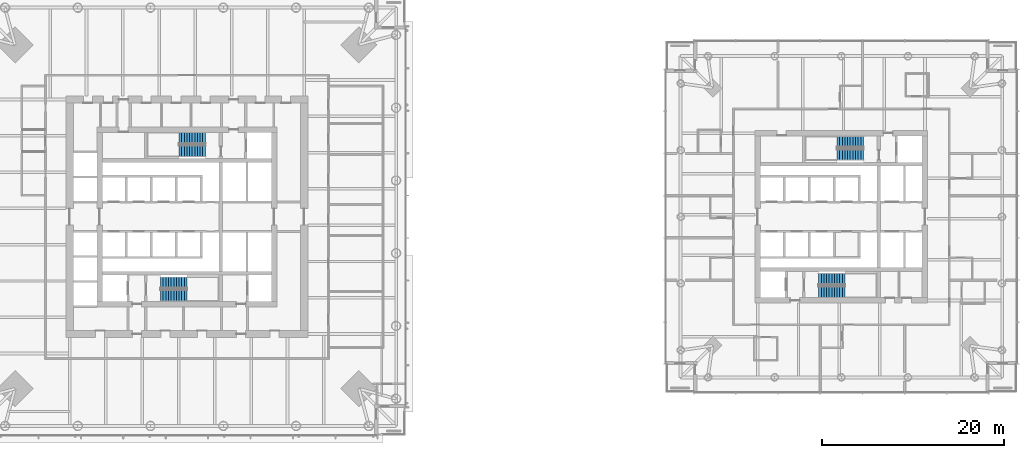
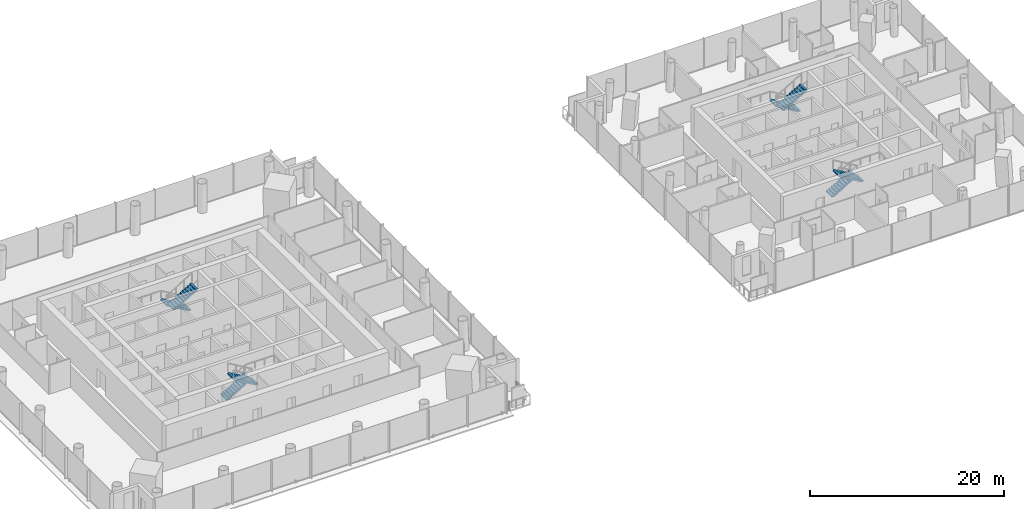
# One storey, part 17 of 26: 8 stair flights, 4 elements without a shape of their own.
"""IFC4 building model written with IfcOpenShell, lengths in metres."""

from ifc_helpers import new_model, si_unit, direction, frame, origin, place, context, subcontext, project, spatial, polyline, outline, extrude, material, type_object, element, aggregate, save


model = new_model("IFC4")

# Units and contexts
model_context = context("Model", 3, precision=1e-05, world=origin(), true_north=direction((0.0, 1.0)))
body_context = subcontext(model_context, "Body", "Model", "MODEL_VIEW")
ifc_project = project(units=[si_unit("LENGTHUNIT", "METRE"), si_unit("AREAUNIT", "SQUARE_METRE"), si_unit("VOLUMEUNIT", "CUBIC_METRE"), si_unit("PLANEANGLEUNIT", "RADIAN"), si_unit("MASSUNIT", "GRAM", prefix="KILO")], contexts=[model_context])

# Site, building, storey
site_placement = place(None, origin())
site = spatial("IfcSite", under=ifc_project, at=site_placement, CompositionType="ELEMENT")
building_placement = place(site_placement, origin())
building = spatial("IfcBuilding", under=site, at=building_placement, Name="Ostroluk Exchange", CompositionType="ELEMENT")
storey_placement = place(building_placement, frame((0.0, 0.0, 51.39990234375)))
storey = spatial("IfcBuildingStorey", under=building, at=storey_placement, Name="L12", CompositionType="ELEMENT", Elevation=51.39990234375)

# Stair, stair flights
ifc_material_1 = material(Name="Concrete C30/37", Category="concrete")
stair_type = type_object("IfcStairType", Name="Exit stair half turn 3800", PredefinedType="HALF_TURN_STAIR", material=ifc_material_1)
stair_1_placement = place(storey_placement, origin())
stair_1 = element("IfcStair", 1, at=stair_1_placement, inside=storey, type_object=stair_type, Name="Stair T1-S1 L12", PredefinedType="HALF_TURN_STAIR")
ifc_material_2 = material(Name="Concrete C30/37", Category="concrete")
stair_flight_type = type_object("IfcStairFlightType", Name="Stair flight 11 risers 172.7 x 290", PredefinedType="STRAIGHT", material=ifc_material_2)
stair_flight_1_placement = place(storey_placement, frame((42.10009765625, 38.77490234375, 0.0), z_axis=(0.0, 0.0, 1.0), x_axis=(1.0, 0.0, 0.0)))
stair_flight_1 = element("IfcStairFlight", 2, at=stair_flight_1_placement, type_object=stair_flight_type, Name="T1-S1 flight 1", NumberOfRisers=11, NumberOfTreads=10, PredefinedType="STRAIGHT", RiserHeight=0.172727273, TreadLength=0.29, context=body_context, shape_type="SweptSolid", body=[
    extrude(outline(polyline([(0.0, 0.0), (0.0, 0.172607421875), (0.2900390625, 0.172607421875), (0.2900390625, 0.345458984375), (0.580078125, 0.345458984375), (0.580078125, 0.51806640625), (0.8701171875, 0.51806640625), (0.8701171875, 0.69091796875), (1.159912109375, 0.69091796875), (1.159912109375, 0.863525390625), (1.449951171875, 0.863525390625), (1.449951171875, 1.036376953125), (1.739990234375, 1.036376953125), (1.739990234375, 1.208984375), (2.030029296875, 1.208984375), (2.030029296875, 1.3818359375), (2.320068359375, 1.3818359375), (2.320068359375, 1.554443359375), (2.610107421875, 1.554443359375), (2.610107421875, 1.727294921875), (2.89990234375, 1.727294921875), (2.89990234375, 1.89990234375), (2.89990234375, 1.552734375), (0.29296875, 0.0), (0.0, 0.0)])), frame((0.0, 0.625, 0.0), z_axis=(0.0, -1.0, 0.0), x_axis=(1.0, 0.0, 0.0)), (0.0, 0.0, 1.0), 1.25),
])
stair_flight_2_placement = place(storey_placement, frame((45.0, 37.324951171875, 1.900146484375), z_axis=(0.0, 0.0, 1.0), x_axis=(-1.0, 0.0, 0.0)))
stair_flight_2 = element("IfcStairFlight", 3, at=stair_flight_2_placement, type_object=stair_flight_type, Name="T1-S1 flight 2", NumberOfRisers=11, NumberOfTreads=10, PredefinedType="STRAIGHT", RiserHeight=0.172727273, TreadLength=0.29, context=body_context, shape_type="SweptSolid", body=[
    extrude(outline(polyline([(0.0, 0.0), (0.0, 0.172607421875), (0.2900390625, 0.172607421875), (0.2900390625, 0.345458984375), (0.580078125, 0.345458984375), (0.580078125, 0.51806640625), (0.8701171875, 0.51806640625), (0.8701171875, 0.69091796875), (1.159912109375, 0.69091796875), (1.159912109375, 0.863525390625), (1.449951171875, 0.863525390625), (1.449951171875, 1.036376953125), (1.739990234375, 1.036376953125), (1.739990234375, 1.208984375), (2.030029296875, 1.208984375), (2.030029296875, 1.3818359375), (2.320068359375, 1.3818359375), (2.320068359375, 1.554443359375), (2.610107421875, 1.554443359375), (2.610107421875, 1.727294921875), (2.89990234375, 1.727294921875), (2.89990234375, 1.89990234375), (2.89990234375, 1.552734375), (0.29296875, 0.0), (0.0, 0.0)])), frame((0.0, 0.625, 0.0), z_axis=(0.0, -1.0, 0.0), x_axis=(1.0, 0.0, 0.0)), (0.0, 0.0, 1.0), 1.25),
])
aggregate(stair_1, [stair_flight_1, stair_flight_2])

stair_2_placement = place(storey_placement, origin())
stair_2 = element("IfcStair", 4, at=stair_2_placement, inside=storey, type_object=stair_type, Name="Stair T1-S2 L12", PredefinedType="HALF_TURN_STAIR")
stair_flight_3_placement = place(storey_placement, frame((47.030029296875, 54.675048828125, 0.0), z_axis=(0.0, 0.0, 1.0), x_axis=(-1.0, 0.0, 0.0)))
stair_flight_3 = element("IfcStairFlight", 5, at=stair_flight_3_placement, type_object=stair_flight_type, Name="T1-S2 flight 1", NumberOfRisers=11, NumberOfTreads=10, PredefinedType="STRAIGHT", RiserHeight=0.172727273, TreadLength=0.29, context=body_context, shape_type="SweptSolid", body=[
    extrude(outline(polyline([(0.0, 0.0), (0.0, 0.172607421875), (0.2900390625, 0.172607421875), (0.2900390625, 0.345458984375), (0.580078125, 0.345458984375), (0.580078125, 0.51806640625), (0.8701171875, 0.51806640625), (0.8701171875, 0.69091796875), (1.159912109375, 0.69091796875), (1.159912109375, 0.863525390625), (1.449951171875, 0.863525390625), (1.449951171875, 1.036376953125), (1.739990234375, 1.036376953125), (1.739990234375, 1.208984375), (2.030029296875, 1.208984375), (2.030029296875, 1.3818359375), (2.320068359375, 1.3818359375), (2.320068359375, 1.554443359375), (2.610107421875, 1.554443359375), (2.610107421875, 1.727294921875), (2.89990234375, 1.727294921875), (2.89990234375, 1.89990234375), (2.89990234375, 1.552734375), (0.29296875, 0.0), (0.0, 0.0)])), frame((0.0, 0.625, 0.0), z_axis=(0.0, -1.0, 0.0), x_axis=(1.0, 0.0, 0.0)), (0.0, 0.0, 1.0), 1.25),
])
stair_flight_4_placement = place(storey_placement, frame((44.1298828125, 53.22509765625, 1.900146484375), z_axis=(0.0, 0.0, 1.0), x_axis=(1.0, 0.0, 0.0)))
stair_flight_4 = element("IfcStairFlight", 6, at=stair_flight_4_placement, type_object=stair_flight_type, Name="T1-S2 flight 2", NumberOfRisers=11, NumberOfTreads=10, PredefinedType="STRAIGHT", RiserHeight=0.172727273, TreadLength=0.29, context=body_context, shape_type="SweptSolid", body=[
    extrude(outline(polyline([(0.0, 0.0), (0.0, 0.172607421875), (0.2900390625, 0.172607421875), (0.2900390625, 0.345458984375), (0.580078125, 0.345458984375), (0.580078125, 0.51806640625), (0.8701171875, 0.51806640625), (0.8701171875, 0.69091796875), (1.159912109375, 0.69091796875), (1.159912109375, 0.863525390625), (1.449951171875, 0.863525390625), (1.449951171875, 1.036376953125), (1.739990234375, 1.036376953125), (1.739990234375, 1.208984375), (2.030029296875, 1.208984375), (2.030029296875, 1.3818359375), (2.320068359375, 1.3818359375), (2.320068359375, 1.554443359375), (2.610107421875, 1.554443359375), (2.610107421875, 1.727294921875), (2.89990234375, 1.727294921875), (2.89990234375, 1.89990234375), (2.89990234375, 1.552734375), (0.29296875, 0.0), (0.0, 0.0)])), frame((0.0, 0.625, 0.0), z_axis=(0.0, -1.0, 0.0), x_axis=(1.0, 0.0, 0.0)), (0.0, 0.0, 1.0), 1.25),
])
aggregate(stair_2, [stair_flight_3, stair_flight_4])

stair_3_placement = place(storey_placement, origin())
stair_3 = element("IfcStair", 7, at=stair_3_placement, inside=storey, type_object=stair_type, Name="Stair T2-S1 L12", PredefinedType="HALF_TURN_STAIR")
stair_flight_5_placement = place(storey_placement, frame((114.5, 39.175048828125, 0.0), z_axis=(0.0, 0.0, 1.0), x_axis=(1.0, 0.0, 0.0)))
stair_flight_5 = element("IfcStairFlight", 8, at=stair_flight_5_placement, type_object=stair_flight_type, Name="T2-S1 flight 1", NumberOfRisers=11, NumberOfTreads=10, PredefinedType="STRAIGHT", RiserHeight=0.172727273, TreadLength=0.29, context=body_context, shape_type="SweptSolid", body=[
    extrude(outline(polyline([(0.0, 0.0), (0.0, 0.172607421875), (0.2900390625, 0.172607421875), (0.2900390625, 0.345458984375), (0.580078125, 0.345458984375), (0.580078125, 0.51806640625), (0.8701171875, 0.51806640625), (0.8701171875, 0.69091796875), (1.159912109375, 0.69091796875), (1.159912109375, 0.863525390625), (1.449951171875, 0.863525390625), (1.449951171875, 1.036376953125), (1.739990234375, 1.036376953125), (1.739990234375, 1.208984375), (2.030029296875, 1.208984375), (2.030029296875, 1.3818359375), (2.320068359375, 1.3818359375), (2.320068359375, 1.554443359375), (2.610107421875, 1.554443359375), (2.610107421875, 1.727294921875), (2.89990234375, 1.727294921875), (2.89990234375, 1.89990234375), (2.89990234375, 1.552734375), (0.29296875, 0.0), (0.0, 0.0)])), frame((0.0, 0.625, 0.0), z_axis=(0.0, -1.0, 0.0), x_axis=(1.0, 0.0, 0.0)), (0.0, 0.0, 1.0), 1.25),
])
stair_flight_6_placement = place(storey_placement, frame((117.39990234375, 37.72509765625, 1.900146484375), z_axis=(0.0, 0.0, 1.0), x_axis=(-1.0, 0.0, 0.0)))
stair_flight_6 = element("IfcStairFlight", 9, at=stair_flight_6_placement, type_object=stair_flight_type, Name="T2-S1 flight 2", NumberOfRisers=11, NumberOfTreads=10, PredefinedType="STRAIGHT", RiserHeight=0.172727273, TreadLength=0.29, context=body_context, shape_type="SweptSolid", body=[
    extrude(outline(polyline([(0.0, 0.0), (0.0, 0.172607421875), (0.2900390625, 0.172607421875), (0.2900390625, 0.345458984375), (0.580078125, 0.345458984375), (0.580078125, 0.51806640625), (0.8701171875, 0.51806640625), (0.8701171875, 0.69091796875), (1.159912109375, 0.69091796875), (1.159912109375, 0.863525390625), (1.449951171875, 0.863525390625), (1.449951171875, 1.036376953125), (1.739990234375, 1.036376953125), (1.739990234375, 1.208984375), (2.030029296875, 1.208984375), (2.030029296875, 1.3818359375), (2.320068359375, 1.3818359375), (2.320068359375, 1.554443359375), (2.610107421875, 1.554443359375), (2.610107421875, 1.727294921875), (2.89990234375, 1.727294921875), (2.89990234375, 1.89990234375), (2.89990234375, 1.552734375), (0.29296875, 0.0), (0.0, 0.0)])), frame((0.0, 0.625, 0.0), z_axis=(0.0, -1.0, 0.0), x_axis=(1.0, 0.0, 0.0)), (0.0, 0.0, 1.0), 1.25),
])
aggregate(stair_3, [stair_flight_5, stair_flight_6])

stair_4_placement = place(storey_placement, origin())
stair_4 = element("IfcStair", 10, at=stair_4_placement, inside=storey, type_object=stair_type, Name="Stair T2-S2 L12", PredefinedType="HALF_TURN_STAIR")
stair_flight_7_placement = place(storey_placement, frame((119.429931640625, 54.27490234375, 0.0), z_axis=(0.0, 0.0, 1.0), x_axis=(-1.0, 0.0, 0.0)))
stair_flight_7 = element("IfcStairFlight", 11, at=stair_flight_7_placement, type_object=stair_flight_type, Name="T2-S2 flight 1", NumberOfRisers=11, NumberOfTreads=10, PredefinedType="STRAIGHT", RiserHeight=0.172727273, TreadLength=0.29, context=body_context, shape_type="SweptSolid", body=[
    extrude(outline(polyline([(0.0, 0.0), (0.0, 0.172607421875), (0.2900390625, 0.172607421875), (0.2900390625, 0.345458984375), (0.580078125, 0.345458984375), (0.580078125, 0.51806640625), (0.8701171875, 0.51806640625), (0.8701171875, 0.69091796875), (1.159912109375, 0.69091796875), (1.159912109375, 0.863525390625), (1.449951171875, 0.863525390625), (1.449951171875, 1.036376953125), (1.739990234375, 1.036376953125), (1.739990234375, 1.208984375), (2.030029296875, 1.208984375), (2.030029296875, 1.3818359375), (2.320068359375, 1.3818359375), (2.320068359375, 1.554443359375), (2.610107421875, 1.554443359375), (2.610107421875, 1.727294921875), (2.89990234375, 1.727294921875), (2.89990234375, 1.89990234375), (2.89990234375, 1.552734375), (0.29296875, 0.0), (0.0, 0.0)])), frame((0.0, 0.625, 0.0), z_axis=(0.0, -1.0, 0.0), x_axis=(1.0, 0.0, 0.0)), (0.0, 0.0, 1.0), 1.25),
])
stair_flight_8_placement = place(storey_placement, frame((116.530029296875, 52.824951171875, 1.900146484375), z_axis=(0.0, 0.0, 1.0), x_axis=(1.0, 0.0, 0.0)))
stair_flight_8 = element("IfcStairFlight", 12, at=stair_flight_8_placement, type_object=stair_flight_type, Name="T2-S2 flight 2", NumberOfRisers=11, NumberOfTreads=10, PredefinedType="STRAIGHT", RiserHeight=0.172727273, TreadLength=0.29, context=body_context, shape_type="SweptSolid", body=[
    extrude(outline(polyline([(0.0, 0.0), (0.0, 0.172607421875), (0.2900390625, 0.172607421875), (0.2900390625, 0.345458984375), (0.580078125, 0.345458984375), (0.580078125, 0.51806640625), (0.8701171875, 0.51806640625), (0.8701171875, 0.69091796875), (1.159912109375, 0.69091796875), (1.159912109375, 0.863525390625), (1.449951171875, 0.863525390625), (1.449951171875, 1.036376953125), (1.739990234375, 1.036376953125), (1.739990234375, 1.208984375), (2.030029296875, 1.208984375), (2.030029296875, 1.3818359375), (2.320068359375, 1.3818359375), (2.320068359375, 1.554443359375), (2.610107421875, 1.554443359375), (2.610107421875, 1.727294921875), (2.89990234375, 1.727294921875), (2.89990234375, 1.89990234375), (2.89990234375, 1.552734375), (0.29296875, 0.0), (0.0, 0.0)])), frame((0.0, 0.625, 0.0), z_axis=(0.0, -1.0, 0.0), x_axis=(1.0, 0.0, 0.0)), (0.0, 0.0, 1.0), 1.25),
])
aggregate(stair_4, [stair_flight_7, stair_flight_8])

save(model, "model.ifc")
